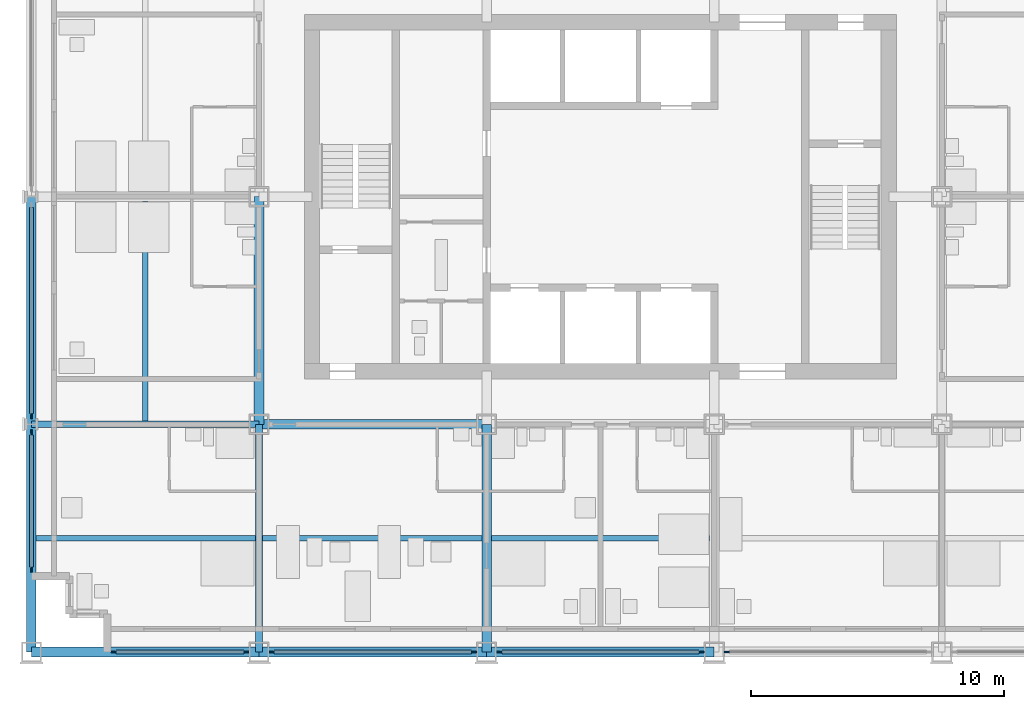
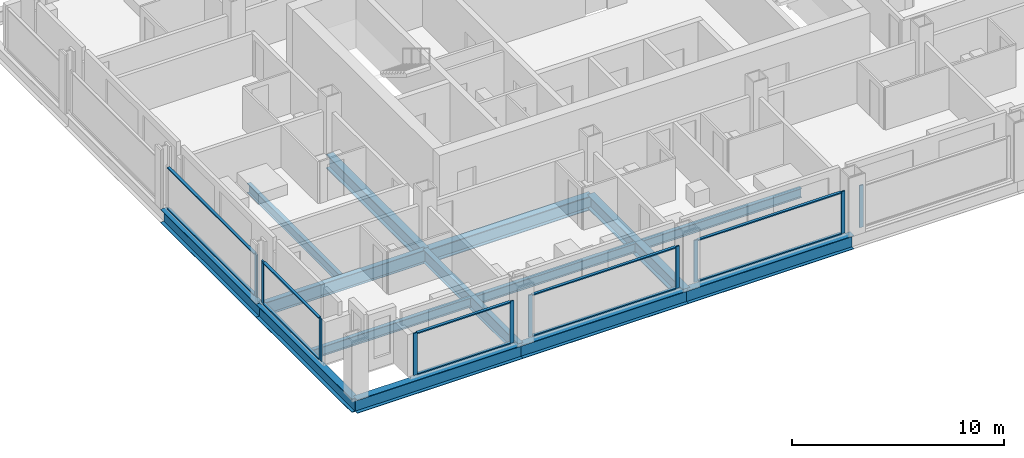
# One storey, part 2 of 16: 20 members, 14 beams, 6 elements without a shape of their own.
"""IFC4 building model written with IfcOpenShell, lengths in metres."""

import ifcopenshell
import ifcopenshell.guid

model = None  # the IFC model being written
_history = None  # IfcOwnerHistory: only IFC2X3 demands one
_inside = {}  # id of a spatial element -> (the spatial element, [elements in it])
_under = {}  # id of a project, library or spatial element -> (it, [spatial elements below it])
_declared = {}  # id of a project -> (the project, [libraries it declares])
_typed = {}  # id of a type object -> (the type object, [elements of that type])
_made_of = {}  # id of a material, layer set ... -> (it, [elements and type objects made of it])


def new_model(schema):
    """Start an empty IFC model of exactly this schema.

    Asked for "IFC4X3", IfcOpenShell would pick the latest addendum, in which some entities
    have other attributes; the version numbers below select the first issue.
    IFC2X3 requires an IfcOwnerHistory on every rooted entity: one is made here for all.
    """
    global model, _history
    if schema == "IFC4X3":
        model = ifcopenshell.file(schema_version=(4, 3, 0, 0))
    else:
        model = ifcopenshell.file(schema=schema)
    _inside.clear()
    _under.clear()
    _declared.clear()
    _typed.clear()
    _made_of.clear()
    _history = None
    if model.schema == "IFC2X3":
        org = make("IfcOrganization", Name="unknown")
        user = make(
            "IfcPersonAndOrganization",
            ThePerson=make("IfcPerson", FamilyName="unknown"),
            TheOrganization=org,
        )
        app = make(
            "IfcApplication",
            ApplicationDeveloper=org,
            Version="unknown",
            ApplicationFullName="unknown",
            ApplicationIdentifier="unknown",
        )
        _history = make(
            "IfcOwnerHistory",
            OwningUser=user,
            OwningApplication=app,
            ChangeAction="ADDED",
            CreationDate=0,
        )
    return model


def make(cls, **values):
    """One entity of the class cls with the attributes given. An attribute that is None is left unset."""
    return model.create_entity(
        cls, **{name: value for name, value in values.items() if value is not None}
    )


def rooted(cls, **values):
    """An entity with a GlobalId (a new one), such as an element, a storey or a relation."""
    return make(cls, GlobalId=ifcopenshell.guid.new(), OwnerHistory=_history, **values)


def si_unit(unit_type, name, prefix=None):
    """IfcSIUnit, for example si_unit("LENGTHUNIT", "METRE", prefix="MILLI")."""
    return make("IfcSIUnit", UnitType=unit_type, Prefix=prefix, Name=name)


def assignment(units):
    """IfcUnitAssignment: the units of a project."""
    return None if units is None else make("IfcUnitAssignment", Units=units)


def point(xyz):
    """IfcCartesianPoint."""
    return None if xyz is None else make("IfcCartesianPoint", Coordinates=xyz)


def direction(xyz):
    """IfcDirection."""
    return None if xyz is None else make("IfcDirection", DirectionRatios=xyz)


def frame(location, z_axis=None, x_axis=None):
    """IfcAxis2Placement3D, a coordinate frame: its origin and axes. An axis left out is left unset."""
    return make(
        "IfcAxis2Placement3D",
        Location=point(location),
        Axis=direction(z_axis),
        RefDirection=direction(x_axis),
    )


def frame_2d(location, x_axis=None):
    """IfcAxis2Placement2D, a coordinate frame in the plane: its origin and x axis."""
    return make(
        "IfcAxis2Placement2D", Location=point(location), RefDirection=direction(x_axis)
    )


def origin():
    """The frame at (0, 0, 0) with its axes left unset."""
    return frame((0.0, 0.0, 0.0))


def origin_2d():
    """The frame at (0, 0) in the plane with its x axis left unset."""
    return frame_2d((0.0, 0.0))


def place(relative_to, where):
    """IfcLocalPlacement: puts the frame where relative to a parent placement (None: the world)."""
    return make(
        "IfcLocalPlacement", PlacementRelTo=relative_to, RelativePlacement=where
    )


def context(
    kind, dimensions, precision=None, world=None, true_north=None, identifier=None
):
    """IfcGeometricRepresentationContext, for example the 3D "Model" context."""
    return make(
        "IfcGeometricRepresentationContext",
        ContextIdentifier=identifier,
        ContextType=kind,
        CoordinateSpaceDimension=dimensions,
        Precision=precision,
        WorldCoordinateSystem=world,
        TrueNorth=true_north,
    )


def subcontext(parent, identifier, kind, view, scale=None):
    """IfcGeometricRepresentationSubContext, for example "Body" below "Model"."""
    return make(
        "IfcGeometricRepresentationSubContext",
        ContextIdentifier=identifier,
        ContextType=kind,
        ParentContext=parent,
        TargetScale=scale,
        TargetView=view,
    )


def project(units=None, contexts=None):
    """IfcProject with its units and contexts."""
    return rooted(
        "IfcProject",
        Name="project",
        RepresentationContexts=contexts,
        UnitsInContext=assignment(units),
    )


def spatial(cls, under=None, at=None, **own):
    """A site, building, storey or space (cls), placed at a placement, below another one or the project."""
    s = rooted(cls, ObjectPlacement=at, **own)
    if under is not None:
        _under.setdefault(under.id(), (under, []))[1].append(s)
    return s


def profile(cls, at=None, kind="AREA", **sizes):
    """A parametric profile (cls). Its sizes go by their IFC names, for example OverallWidth=200.0."""
    return make(cls, ProfileType=kind, Position=at, **sizes)


def rectangle(**sizes):
    """IfcRectangleProfileDef."""
    return profile("IfcRectangleProfileDef", **sizes)


def i_section(**sizes):
    """IfcIShapeProfileDef."""
    return profile("IfcIShapeProfileDef", **sizes)


def extrude(swept, where, along, depth):
    """IfcExtrudedAreaSolid: the profile swept, set in the frame where, extruded along a direction by depth."""
    return make(
        "IfcExtrudedAreaSolid",
        SweptArea=swept,
        Position=where,
        ExtrudedDirection=direction(along),
        Depth=depth,
    )


def shape(context_of_items, identifier, shape_type, items):
    """IfcShapeRepresentation: the items that make up one representation, for example the "Body"."""
    return make(
        "IfcShapeRepresentation",
        ContextOfItems=context_of_items,
        RepresentationIdentifier=identifier,
        RepresentationType=shape_type,
        Items=items,
    )


def material(Name=None, Category=None):
    """IfcMaterial."""
    return make("IfcMaterial", Name=Name, Category=Category)


def material_profile(
    of_material, cross_section, Name=None, Category=None, Priority=None
):
    """IfcMaterialProfile: a cross section and its material."""
    return make(
        "IfcMaterialProfile",
        Name=Name,
        Material=of_material,
        Profile=cross_section,
        Priority=Priority,
        Category=Category,
    )


def profile_set(profiles, Name=None, composite=None):
    """IfcMaterialProfileSet."""
    return make(
        "IfcMaterialProfileSet",
        Name=Name,
        MaterialProfiles=profiles,
        CompositeProfile=composite,
    )


def made_of(thing, what):
    """Note that an element or type object is made of a material, layer set ...; save() writes the relation."""
    if what is not None:
        _made_of.setdefault(what.id(), (what, []))[1].append(thing)
    return thing


def type_object(cls, material=None, **own):
    """A type object (cls), such as IfcWallType, which elements share."""
    return made_of(rooted(cls, **own), material)


def element(
    cls,
    number,
    at=None,
    inside=None,
    cuts=None,
    type_object=None,
    material=None,
    context=None,
    identifier="Body",
    shape_type=None,
    held_by="IfcProductDefinitionShape",
    body=None,
    shapes=None,
    **own,
):
    """One element of the class cls, such as IfcWall. Its Tag is "e" and its number.

    at: its placement. inside: the storey or other place that contains it. cuts: it is an
    opening in that element (IfcRelVoidsElement). A single representation is given by context,
    identifier, shape_type and body (its items); several are given by shapes. held_by: the class
    of the entity that holds the representations. save() writes the other relations.
    """
    e = rooted(cls, Tag="e%d" % number, ObjectPlacement=at, **own)
    if body is not None:
        shapes = [shape(context, identifier, shape_type, body)]
    if shapes is not None:
        e.Representation = make(held_by, Representations=shapes)
    if inside is not None:
        _inside.setdefault(inside.id(), (inside, []))[1].append(e)
    if cuts is not None:
        rooted(
            "IfcRelVoidsElement", RelatingBuildingElement=cuts, RelatedOpeningElement=e
        )
    if type_object is not None:
        _typed.setdefault(type_object.id(), (type_object, []))[1].append(e)
    return made_of(e, material)


def aggregate(whole, parts):
    """IfcRelAggregates: a whole, such as a stair, and the parts it consists of."""
    return rooted("IfcRelAggregates", RelatingObject=whole, RelatedObjects=parts)


def save(model, path):
    """Write the relations noted so far, then the file.

    IfcRelAggregates (storeys below a building ...), IfcRelContainedInSpatialStructure (elements
    in a storey), IfcRelDefinesByType, IfcRelAssociatesMaterial and IfcRelDeclares: one each for
    every whole, place, type object, material and project.
    """
    for whole, parts in _under.values():
        aggregate(whole, parts)
    for where, things in _inside.values():
        rooted(
            "IfcRelContainedInSpatialStructure",
            RelatedElements=things,
            RelatingStructure=where,
        )
    for kind, things in _typed.values():
        rooted("IfcRelDefinesByType", RelatedObjects=things, RelatingType=kind)
    for what, things in _made_of.values():
        rooted("IfcRelAssociatesMaterial", RelatedObjects=things, RelatingMaterial=what)
    for by, libraries in _declared.values():
        rooted("IfcRelDeclares", RelatingContext=by, RelatedDefinitions=libraries)
    model.write(path)


model = new_model("IFC4")

# Units and contexts
model_context = context("Model", 3, precision=1e-05, world=origin(), true_north=direction((0.0, 1.0)))
body_context = subcontext(model_context, "Body", "Model", "MODEL_VIEW")
ifc_project = project(units=[si_unit("LENGTHUNIT", "METRE"), si_unit("AREAUNIT", "SQUARE_METRE"), si_unit("VOLUMEUNIT", "CUBIC_METRE"), si_unit("PLANEANGLEUNIT", "RADIAN"), si_unit("MASSUNIT", "GRAM", prefix="KILO")], contexts=[model_context])

# Site, building, storey
site_placement = place(None, origin())
site = spatial("IfcSite", under=ifc_project, at=site_placement, CompositionType="ELEMENT")
building_placement = place(site_placement, origin())
building = spatial("IfcBuilding", under=site, at=building_placement, Name="Loomwork Tower", CompositionType="ELEMENT")
storey_placement = place(building_placement, frame((0.0, 0.0, 131.60009765625)))
storey = spatial("IfcBuildingStorey", under=building, at=storey_placement, Name="L35", CompositionType="ELEMENT", Elevation=131.60009765625)

# Beams
ifc_material_1 = material(Name="Steel ASTM A992", Category="steel")
ifc_material_profile_1 = material_profile(ifc_material_1, i_section(OverallWidth=0.383544921875, OverallDepth=0.794921875, WebThickness=0.02099609375, FlangeThickness=0.0380859375, at=origin_2d()), Name="W30x235")
ifc_profile_set_1 = profile_set([ifc_material_profile_1], Name="Steel ASTM A992")
beam_type_1 = type_object("IfcBeamType", Name="CORE FLANK GIRDER W30x235", PredefinedType="BEAM", material=ifc_profile_set_1)
for number, where, z_axis, x_axis, name in (
    (1, (9.0, 9.0, -0.59765625), (1.0, 0.0, 0.0), (0.0, 1.0, 0.0), "Core Flank Girder E/3-E/4 L35"),
    (2, (9.0, 9.0, -0.59765625), (0.0, 1.0, 0.0), (-1.0, 0.0, 0.0), "Core Flank Girder E/3-F/3 L35"),
    (3, (18.0, 0.0, -0.59765625), (0.0, 1.0, 0.0), (-1.0, 0.0, 0.0), "Core Flank Girder D/4-E/4 L35"),
):
    element("IfcBeam", number, at=place(storey_placement, frame(where, z_axis=z_axis, x_axis=x_axis)), inside=storey, type_object=beam_type_1, Name=name, PredefinedType="BEAM", context=body_context, shape_type="SweptSolid", body=[
        extrude(i_section(OverallWidth=0.383544921875, OverallDepth=0.794921875, WebThickness=0.02099609375, FlangeThickness=0.0380859375, at=origin_2d()), origin(), (0.0, 0.0, 1.0), 9.0),
    ])
ifc_material_2 = material(Name="Steel ASTM A992", Category="steel")
ifc_material_profile_2 = material_profile(ifc_material_2, i_section(OverallWidth=0.2666015625, OverallDepth=0.761962890625, WebThickness=0.014404296875, FlangeThickness=0.021484375, at=origin_2d()), Name="W30x116")
ifc_profile_set_2 = profile_set([ifc_material_profile_2], Name="Steel ASTM A992")
beam_type_2 = type_object("IfcBeamType", Name="FLOOR GIRDER W30x116", PredefinedType="BEAM", material=ifc_profile_set_2)
for number, where, z_axis, x_axis, name in (
    (4, (0.0, 9.0, -0.5810546875), (1.0, 0.0, 0.0), (0.0, 1.0, 0.0), "Floor Girder E/2-E/3 L35"),
    (5, (9.0, 0.0, -0.5810546875), (0.0, 1.0, 0.0), (-1.0, 0.0, 0.0), "Floor Girder D/3-E/3 L35"),
):
    element("IfcBeam", number, at=place(storey_placement, frame(where, z_axis=z_axis, x_axis=x_axis)), inside=storey, type_object=beam_type_2, Name=name, PredefinedType="BEAM", context=body_context, shape_type="SweptSolid", body=[
        extrude(i_section(OverallWidth=0.2666015625, OverallDepth=0.761962890625, WebThickness=0.014404296875, FlangeThickness=0.021484375, at=origin_2d()), origin(), (0.0, 0.0, 1.0), 9.0),
    ])
ifc_material_3 = material(Name="Steel ASTM A992", Category="steel")
ifc_material_profile_3 = material_profile(ifc_material_3, i_section(OverallWidth=0.2109375, OverallDepth=0.53857421875, WebThickness=0.011474609375, FlangeThickness=0.018798828125, at=origin_2d()), Name="W21x73")
ifc_profile_set_3 = profile_set([ifc_material_profile_3], Name="Steel ASTM A992")
beam_type_3 = type_object("IfcBeamType", Name="FLOOR JOIST W21x73", PredefinedType="JOIST", material=ifc_profile_set_3)
beam_1_placement = place(storey_placement, frame((0.18994140625, 4.5, -0.46923828125), z_axis=(1.0, 0.0, 0.0), x_axis=(0.0, 1.0, 0.0)))
element("IfcBeam", 6, at=beam_1_placement, inside=storey, type_object=beam_type_3, Name="Floor Joist 0.000,4.500-9.000,4.500 L35", PredefinedType="JOIST", context=body_context, shape_type="SweptSolid", body=[
    extrude(i_section(OverallWidth=0.2109375, OverallDepth=0.53857421875, WebThickness=0.011474609375, FlangeThickness=0.018798828125, at=origin_2d()), origin(), (0.0, 0.0, 1.0), 8.677001953125),
])
for number, where, z_axis, x_axis, name in (
    (7, (4.5, 9.133056640625, -0.46923828125), (0.0, 1.0, 0.0), (-1.0, 0.0, 0.0), "Floor Joist 4.500,9.000-4.500,18.000 L35"),
    (8, (9.133056640625, 4.5, -0.46923828125), (1.0, 0.0, 0.0), (0.0, 1.0, 0.0), "Floor Joist 9.000,4.500-18.000,4.500 L35"),
):
    element("IfcBeam", number, at=place(storey_placement, frame(where, z_axis=z_axis, x_axis=x_axis)), inside=storey, type_object=beam_type_3, Name=name, PredefinedType="JOIST", context=body_context, shape_type="SweptSolid", body=[
        extrude(i_section(OverallWidth=0.2109375, OverallDepth=0.53857421875, WebThickness=0.011474609375, FlangeThickness=0.018798828125, at=origin_2d()), origin(), (0.0, 0.0, 1.0), 8.676025390625),
    ])
beam_2_placement = place(storey_placement, frame((18.19091796875, 4.5, -0.46923828125), z_axis=(1.0, 0.0, 0.0), x_axis=(0.0, 1.0, 0.0)))
element("IfcBeam", 9, at=beam_2_placement, inside=storey, type_object=beam_type_3, Name="Floor Joist 18.000,4.500-27.000,4.500 L35", PredefinedType="JOIST", context=body_context, shape_type="SweptSolid", body=[
    extrude(i_section(OverallWidth=0.2109375, OverallDepth=0.53857421875, WebThickness=0.011474609375, FlangeThickness=0.018798828125, at=origin_2d()), origin(), (0.0, 0.0, 1.0), 8.6181640625),
])

# Curtain wall, members
ifc_material_4 = material(Name="Aluminium curtain wall frame", Category="aluminium")
curtain_wall_type = type_object("IfcCurtainWallType", Name="Outer skin glazing hotel", PredefinedType="NOTDEFINED", material=ifc_material_4)
curtain_wall_1_placement = place(storey_placement, origin())
curtain_wall_1 = element("IfcCurtainWall", 10, at=curtain_wall_1_placement, inside=storey, type_object=curtain_wall_type, Name="Outer skin glazing hotel cw/S-0", PredefinedType="NOTDEFINED")
ifc_material_5 = material(Name="Aluminium curtain wall frame", Category="aluminium")
ifc_material_profile_4 = material_profile(ifc_material_5, rectangle(XDim=0.06494140625, YDim=0.199951171875, at=origin_2d()), Name="AL 65x200")
ifc_profile_set_4 = profile_set([ifc_material_profile_4], Name="Aluminium curtain wall frame")
member_type_1 = type_object("IfcMemberType", Name="Outer skin glazing hotel mullion", PredefinedType="MULLION", material=ifc_profile_set_4)
member_1_placement = place(storey_placement, frame((3.25, 0.0, 0.0), z_axis=(0.0, 0.0, 1.0), x_axis=(0.0, 1.0, 0.0)))
member_1 = element("IfcMember", 11, at=member_1_placement, type_object=member_type_1, Name="CW1 mullion 1", PredefinedType="MULLION", context=body_context, shape_type="SweptSolid", body=[
    extrude(rectangle(XDim=0.06494140625, YDim=0.199951171875, at=origin_2d()), origin(), (0.0, 0.0, 1.0), 2.420166015625),
])
member_2_placement = place(storey_placement, frame((8.5, 0.0, 0.0), z_axis=(0.0, 0.0, 1.0), x_axis=(0.0, 1.0, 0.0)))
member_2 = element("IfcMember", 12, at=member_2_placement, type_object=member_type_1, Name="CW1 mullion 2", PredefinedType="MULLION", context=body_context, shape_type="SweptSolid", body=[
    extrude(rectangle(XDim=0.06494140625, YDim=0.199951171875, at=origin_2d()), origin(), (0.0, 0.0, 1.0), 2.420166015625),
])

curtain_wall_2_placement = place(storey_placement, origin())
curtain_wall_2 = element("IfcCurtainWall", 13, at=curtain_wall_2_placement, inside=storey, type_object=curtain_wall_type, Name="Outer skin glazing hotel cw/S-9", PredefinedType="NOTDEFINED")
member_3_placement = place(storey_placement, frame((9.5, 0.0, 0.0), z_axis=(0.0, 0.0, 1.0), x_axis=(0.0, 1.0, 0.0)))
member_3 = element("IfcMember", 14, at=member_3_placement, type_object=member_type_1, Name="CW1 mullion 1", PredefinedType="MULLION", context=body_context, shape_type="SweptSolid", body=[
    extrude(rectangle(XDim=0.06494140625, YDim=0.199951171875, at=origin_2d()), origin(), (0.0, 0.0, 1.0), 2.420166015625),
])
member_4_placement = place(storey_placement, frame((17.5, 0.0, 0.0), z_axis=(0.0, 0.0, 1.0), x_axis=(0.0, 1.0, 0.0)))
member_4 = element("IfcMember", 15, at=member_4_placement, type_object=member_type_1, Name="CW1 mullion 2", PredefinedType="MULLION", context=body_context, shape_type="SweptSolid", body=[
    extrude(rectangle(XDim=0.06494140625, YDim=0.199951171875, at=origin_2d()), origin(), (0.0, 0.0, 1.0), 2.420166015625),
])

curtain_wall_3_placement = place(storey_placement, origin())
curtain_wall_3 = element("IfcCurtainWall", 16, at=curtain_wall_3_placement, inside=storey, type_object=curtain_wall_type, Name="Outer skin glazing hotel cw/S-18", PredefinedType="NOTDEFINED")
member_5_placement = place(storey_placement, frame((18.5, 0.0, 0.0), z_axis=(0.0, 0.0, 1.0), x_axis=(0.0, 1.0, 0.0)))
member_5 = element("IfcMember", 17, at=member_5_placement, type_object=member_type_1, Name="CW1 mullion 1", PredefinedType="MULLION", context=body_context, shape_type="SweptSolid", body=[
    extrude(rectangle(XDim=0.06494140625, YDim=0.199951171875, at=origin_2d()), origin(), (0.0, 0.0, 1.0), 2.420166015625),
])
member_6_placement = place(storey_placement, frame((26.5, 0.0, 0.0), z_axis=(0.0, 0.0, 1.0), x_axis=(0.0, 1.0, 0.0)))
member_6 = element("IfcMember", 18, at=member_6_placement, type_object=member_type_1, Name="CW1 mullion 2", PredefinedType="MULLION", context=body_context, shape_type="SweptSolid", body=[
    extrude(rectangle(XDim=0.06494140625, YDim=0.199951171875, at=origin_2d()), origin(), (0.0, 0.0, 1.0), 2.420166015625),
])

# Curtain wall, member
curtain_wall_4_placement = place(storey_placement, origin())
curtain_wall_4 = element("IfcCurtainWall", 19, at=curtain_wall_4_placement, inside=storey, type_object=curtain_wall_type, Name="Outer skin glazing hotel cw/S-27", PredefinedType="NOTDEFINED")
member_7_placement = place(storey_placement, frame((27.5, 0.0, 0.0), z_axis=(0.0, 0.0, 1.0), x_axis=(0.0, 1.0, 0.0)))
member_7 = element("IfcMember", 20, at=member_7_placement, type_object=member_type_1, Name="CW1 mullion 1", PredefinedType="MULLION", context=body_context, shape_type="SweptSolid", body=[
    extrude(rectangle(XDim=0.06494140625, YDim=0.199951171875, at=origin_2d()), origin(), (0.0, 0.0, 1.0), 2.420166015625),
])
aggregate(curtain_wall_4, [member_7])

# Curtain wall, members
curtain_wall_5_placement = place(storey_placement, origin())
curtain_wall_5 = element("IfcCurtainWall", 21, at=curtain_wall_5_placement, inside=storey, type_object=curtain_wall_type, Name="Outer skin glazing hotel cw/W-0", PredefinedType="NOTDEFINED")
member_8_placement = place(storey_placement, frame((0.0, 8.678955078125, 0.0), z_axis=(0.0, 0.0, 1.0), x_axis=(1.0, 0.0, 0.0)))
member_8 = element("IfcMember", 22, at=member_8_placement, type_object=member_type_1, Name="CW1 mullion 1", PredefinedType="MULLION", context=body_context, shape_type="SweptSolid", body=[
    extrude(rectangle(XDim=0.06494140625, YDim=0.199951171875, at=origin_2d()), origin(), (0.0, 0.0, 1.0), 2.420166015625),
])
member_9_placement = place(storey_placement, frame((0.0, 3.25, 0.0), z_axis=(0.0, 0.0, 1.0), x_axis=(1.0, 0.0, 0.0)))
member_9 = element("IfcMember", 23, at=member_9_placement, type_object=member_type_1, Name="CW1 mullion 2", PredefinedType="MULLION", context=body_context, shape_type="SweptSolid", body=[
    extrude(rectangle(XDim=0.06494140625, YDim=0.199951171875, at=origin_2d()), origin(), (0.0, 0.0, 1.0), 2.420166015625),
])

# Curtain wall, member
curtain_wall_6_placement = place(storey_placement, origin())
curtain_wall_6 = element("IfcCurtainWall", 24, at=curtain_wall_6_placement, inside=storey, type_object=curtain_wall_type, Name="Outer skin glazing hotel cw/W-9", PredefinedType="NOTDEFINED")
member_10_placement = place(storey_placement, frame((0.0, 9.321044921875, 0.0), z_axis=(0.0, 0.0, 1.0), x_axis=(1.0, 0.0, 0.0)))
member_10 = element("IfcMember", 25, at=member_10_placement, type_object=member_type_1, Name="CW1 mullion 2", PredefinedType="MULLION", context=body_context, shape_type="SweptSolid", body=[
    extrude(rectangle(XDim=0.06494140625, YDim=0.199951171875, at=origin_2d()), origin(), (0.0, 0.0, 1.0), 2.420166015625),
])

# Member
ifc_material_6 = material(Name="Aluminium curtain wall frame", Category="aluminium")
ifc_material_profile_5 = material_profile(ifc_material_6, rectangle(XDim=0.14990234375, YDim=0.06494140625, at=origin_2d()), Name="AL 65x150")
ifc_profile_set_5 = profile_set([ifc_material_profile_5], Name="Aluminium curtain wall frame")
member_type_2 = type_object("IfcMemberType", Name="Outer skin glazing hotel transom", PredefinedType="USERDEFINED", material=ifc_profile_set_5)
member_11_placement = place(storey_placement, frame((3.35009765625, 0.0, 0.032470703125), z_axis=(1.0, 0.0, 0.0), x_axis=(0.0, 1.0, 0.0)))
member_11 = element("IfcMember", 26, at=member_11_placement, type_object=member_type_2, Name="CW1 transom 1.1", ObjectType="TRANSOM", PredefinedType="USERDEFINED", context=body_context, shape_type="SweptSolid", body=[
    extrude(rectangle(XDim=0.14990234375, YDim=0.06494140625, at=origin_2d()), origin(), (0.0, 0.0, 1.0), 5.0498046875),
])

member_12_placement = place(storey_placement, frame((3.35009765625, 0.0, 2.3876953125), z_axis=(1.0, 0.0, 0.0), x_axis=(0.0, 1.0, 0.0)))
member_12 = element("IfcMember", 27, at=member_12_placement, type_object=member_type_2, Name="CW1 transom 1.2", ObjectType="TRANSOM", PredefinedType="USERDEFINED", context=body_context, shape_type="SweptSolid", body=[
    extrude(rectangle(XDim=0.14990234375, YDim=0.06494140625, at=origin_2d()), origin(), (0.0, 0.0, 1.0), 5.0498046875),
])

aggregate(curtain_wall_1, [member_1, member_2, member_11, member_12])

member_13_placement = place(storey_placement, frame((9.60009765625, 0.0, 0.032470703125), z_axis=(1.0, 0.0, 0.0), x_axis=(0.0, 1.0, 0.0)))
member_13 = element("IfcMember", 28, at=member_13_placement, type_object=member_type_2, Name="CW1 transom 1.1", ObjectType="TRANSOM", PredefinedType="USERDEFINED", context=body_context, shape_type="SweptSolid", body=[
    extrude(rectangle(XDim=0.14990234375, YDim=0.06494140625, at=origin_2d()), origin(), (0.0, 0.0, 1.0), 7.7998046875),
])

member_14_placement = place(storey_placement, frame((9.60009765625, 0.0, 2.3876953125), z_axis=(1.0, 0.0, 0.0), x_axis=(0.0, 1.0, 0.0)))
member_14 = element("IfcMember", 29, at=member_14_placement, type_object=member_type_2, Name="CW1 transom 1.2", ObjectType="TRANSOM", PredefinedType="USERDEFINED", context=body_context, shape_type="SweptSolid", body=[
    extrude(rectangle(XDim=0.14990234375, YDim=0.06494140625, at=origin_2d()), origin(), (0.0, 0.0, 1.0), 7.7998046875),
])

aggregate(curtain_wall_2, [member_3, member_4, member_13, member_14])

member_15_placement = place(storey_placement, frame((18.60009765625, 0.0, 0.032470703125), z_axis=(1.0, 0.0, 0.0), x_axis=(0.0, 1.0, 0.0)))
member_15 = element("IfcMember", 30, at=member_15_placement, type_object=member_type_2, Name="CW1 transom 1.1", ObjectType="TRANSOM", PredefinedType="USERDEFINED", context=body_context, shape_type="SweptSolid", body=[
    extrude(rectangle(XDim=0.14990234375, YDim=0.06494140625, at=origin_2d()), origin(), (0.0, 0.0, 1.0), 7.7998046875),
])

member_16_placement = place(storey_placement, frame((18.60009765625, 0.0, 2.3876953125), z_axis=(1.0, 0.0, 0.0), x_axis=(0.0, 1.0, 0.0)))
member_16 = element("IfcMember", 31, at=member_16_placement, type_object=member_type_2, Name="CW1 transom 1.2", ObjectType="TRANSOM", PredefinedType="USERDEFINED", context=body_context, shape_type="SweptSolid", body=[
    extrude(rectangle(XDim=0.14990234375, YDim=0.06494140625, at=origin_2d()), origin(), (0.0, 0.0, 1.0), 7.7998046875),
])

aggregate(curtain_wall_3, [member_5, member_6, member_15, member_16])

member_17_placement = place(storey_placement, frame((0.0, 8.5791015625, 0.032470703125), z_axis=(0.0, -1.0, 0.0), x_axis=(1.0, 0.0, 0.0)))
member_17 = element("IfcMember", 32, at=member_17_placement, type_object=member_type_2, Name="CW1 transom 1.1", ObjectType="TRANSOM", PredefinedType="USERDEFINED", context=body_context, shape_type="SweptSolid", body=[
    extrude(rectangle(XDim=0.14990234375, YDim=0.06494140625, at=origin_2d()), origin(), (0.0, 0.0, 1.0), 5.22900390625),
])

member_18_placement = place(storey_placement, frame((0.0, 8.5791015625, 2.3876953125), z_axis=(0.0, -1.0, 0.0), x_axis=(1.0, 0.0, 0.0)))
member_18 = element("IfcMember", 33, at=member_18_placement, type_object=member_type_2, Name="CW1 transom 1.2", ObjectType="TRANSOM", PredefinedType="USERDEFINED", context=body_context, shape_type="SweptSolid", body=[
    extrude(rectangle(XDim=0.14990234375, YDim=0.06494140625, at=origin_2d()), origin(), (0.0, 0.0, 1.0), 5.22900390625),
])

aggregate(curtain_wall_5, [member_8, member_9, member_17, member_18])

member_19_placement = place(storey_placement, frame((0.0, 17.5791015625, 0.032470703125), z_axis=(0.0, -1.0, 0.0), x_axis=(1.0, 0.0, 0.0)))
member_19 = element("IfcMember", 34, at=member_19_placement, type_object=member_type_2, Name="CW1 transom 1.1", ObjectType="TRANSOM", PredefinedType="USERDEFINED", context=body_context, shape_type="SweptSolid", body=[
    extrude(rectangle(XDim=0.14990234375, YDim=0.06494140625, at=origin_2d()), origin(), (0.0, 0.0, 1.0), 8.158203125),
])

member_20_placement = place(storey_placement, frame((0.0, 17.5791015625, 2.3876953125), z_axis=(0.0, -1.0, 0.0), x_axis=(1.0, 0.0, 0.0)))
member_20 = element("IfcMember", 35, at=member_20_placement, type_object=member_type_2, Name="CW1 transom 1.2", ObjectType="TRANSOM", PredefinedType="USERDEFINED", context=body_context, shape_type="SweptSolid", body=[
    extrude(rectangle(XDim=0.14990234375, YDim=0.06494140625, at=origin_2d()), origin(), (0.0, 0.0, 1.0), 8.158203125),
])

aggregate(curtain_wall_6, [member_10, member_19, member_20])

# Beams
ifc_material_7 = material(Name="Steel ASTM A992", Category="steel")
ifc_material_profile_6 = material_profile(ifc_material_7, i_section(OverallWidth=0.381103515625, OverallDepth=0.77978515625, WebThickness=0.01806640625, FlangeThickness=0.0302734375, at=origin_2d()), Name="W30x191")
ifc_profile_set_6 = profile_set([ifc_material_profile_6], Name="Steel ASTM A992")
beam_type_4 = type_object("IfcBeamType", Name="SPANDREL GIRDER W30x191", PredefinedType="SPANDREL", material=ifc_profile_set_6)
for number, where, z_axis, x_axis, name in (
    (36, (0.0, 0.0, -0.590087890625), (1.0, 0.0, 0.0), (0.0, 1.0, 0.0), "Spandrel Girder D/2-D/3 L35"),
    (37, (9.0, 0.0, -0.590087890625), (1.0, 0.0, 0.0), (0.0, 1.0, 0.0), "Spandrel Girder D/3-D/4 L35"),
    (38, (18.0, 0.0, -0.590087890625), (1.0, 0.0, 0.0), (0.0, 1.0, 0.0), "Spandrel Girder D/4-D/5 L35"),
    (39, (0.0, 0.0, -0.590087890625), (0.0, 1.0, 0.0), (-1.0, 0.0, 0.0), "Spandrel Girder D/2-E/2 L35"),
    (40, (0.0, 9.0, -0.590087890625), (0.0, 1.0, 0.0), (-1.0, 0.0, 0.0), "Spandrel Girder E/2-F/2 L35"),
):
    element("IfcBeam", number, at=place(storey_placement, frame(where, z_axis=z_axis, x_axis=x_axis)), inside=storey, type_object=beam_type_4, Name=name, PredefinedType="SPANDREL", context=body_context, shape_type="SweptSolid", body=[
        extrude(i_section(OverallWidth=0.381103515625, OverallDepth=0.77978515625, WebThickness=0.01806640625, FlangeThickness=0.0302734375, at=origin_2d()), origin(), (0.0, 0.0, 1.0), 9.0),
    ])

save(model, "model.ifc")
